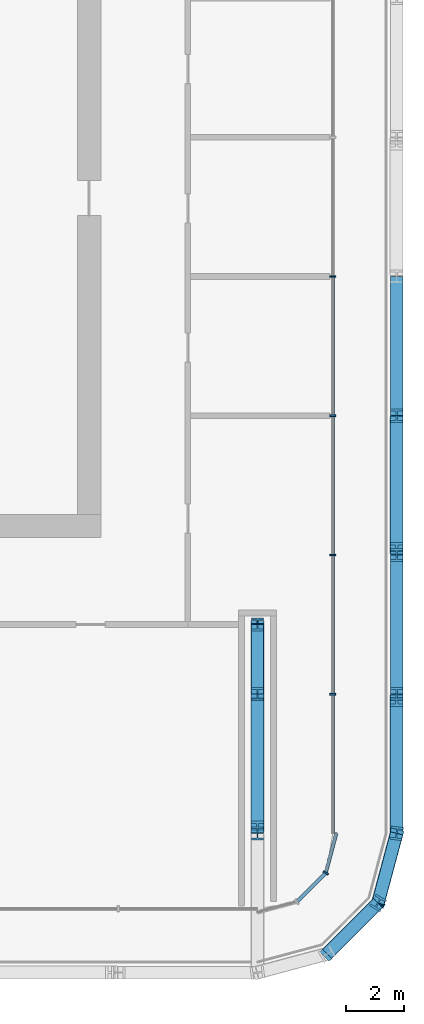
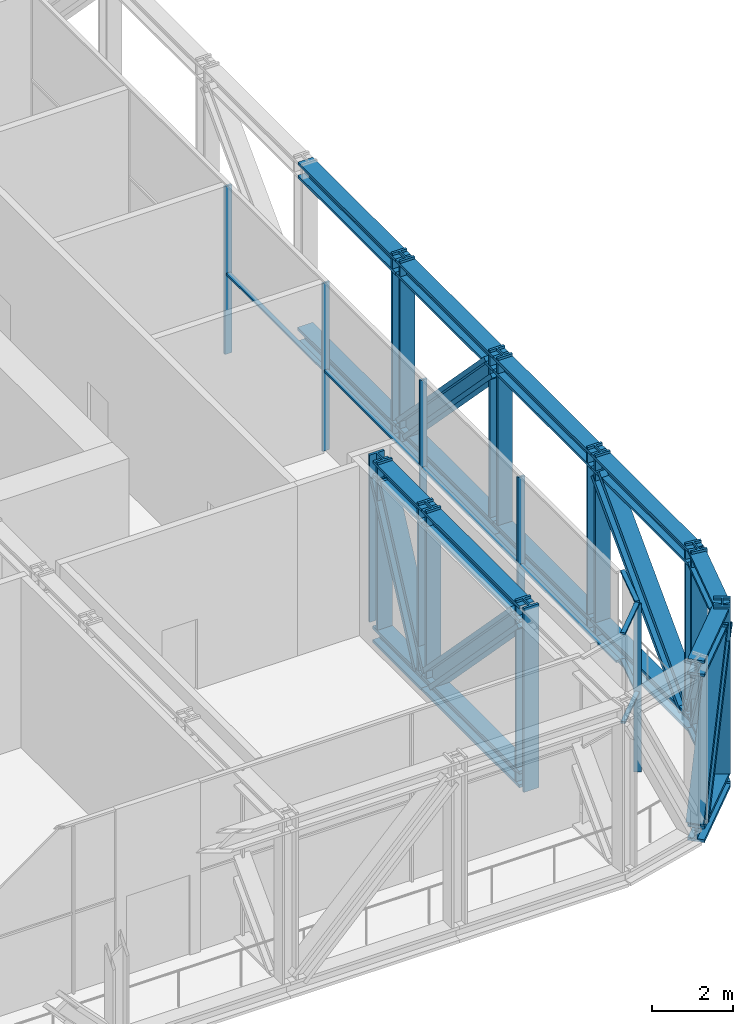
# One storey, part 6 of 27: 43 members, 2 elements without a shape of their own.
"""IFC4 building model written with IfcOpenShell, lengths in metres."""

from ifc_helpers import new_model, si_unit, direction, frame, origin, origin_2d, place, context, subcontext, project, spatial, rectangle, i_section, extrude, material, layer, layer_set, material_profile, profile_set, type_object, element, aggregate, save


model = new_model("IFC4")

# Units and contexts
model_context = context("Model", 3, precision=1e-05, world=origin(), true_north=direction((0.0, 1.0)))
body_context = subcontext(model_context, "Body", "Model", "MODEL_VIEW")
ifc_project = project(units=[si_unit("LENGTHUNIT", "METRE"), si_unit("AREAUNIT", "SQUARE_METRE"), si_unit("VOLUMEUNIT", "CUBIC_METRE"), si_unit("PLANEANGLEUNIT", "RADIAN"), si_unit("MASSUNIT", "GRAM", prefix="KILO")], contexts=[model_context])

# Site, building, storey
site_placement = place(None, origin())
site = spatial("IfcSite", under=ifc_project, at=site_placement, CompositionType="ELEMENT")
building_placement = place(site_placement, origin())
building = spatial("IfcBuilding", under=site, at=building_placement, Name="Madar Terraces", CompositionType="ELEMENT")
storey_placement = place(building_placement, frame((0.0, 0.0, 143.60009765625)))
storey = spatial("IfcBuildingStorey", under=building, at=storey_placement, Name="L37", CompositionType="ELEMENT", Elevation=143.60009765625)

# Members
ifc_material_1 = material(Name="Steel ASTM A913 Grade 65", Category="steel")
ifc_material_profile_1 = material_profile(ifc_material_1, i_section(OverallWidth=0.431884765625, OverallDepth=0.497802734375, WebThickness=0.0556640625, FlangeThickness=0.0888671875, at=origin_2d()), Name="W14x500")
ifc_profile_set_1 = profile_set([ifc_material_profile_1], Name="Steel ASTM A913 Grade 65")
member_type_1 = type_object("IfcMemberType", Name="BC5 W14x500", PredefinedType="CHORD", material=ifc_profile_set_1)
member_1_placement = place(storey_placement, frame((55.199951171875, 0.64306640625, -0.171142578125), z_axis=(0.707155907999, 0.70705765096, 0.0), x_axis=(-0.70705765096, 0.707155907999, 0.0)))
element("IfcMember", 1, at=member_1_placement, inside=storey, type_object=member_type_1, Name="Exoskeleton truss ring bottom chord BC5", PredefinedType="CHORD", context=body_context, shape_type="SweptSolid", body=[
    extrude(i_section(OverallWidth=0.431884765625, OverallDepth=0.497802734375, WebThickness=0.0556640625, FlangeThickness=0.0888671875, at=origin_2d()), origin(), (0.0, 0.0, 1.0), 2.484619140625),
])
member_2_placement = place(storey_placement, frame((56.95703125, 2.39990234375, -0.171142578125), z_axis=(0.258799930484, 0.965930947833, 0.0), x_axis=(-0.965930947833, 0.258799930484, 0.0)))
element("IfcMember", 2, at=member_2_placement, inside=storey, type_object=member_type_1, Name="Exoskeleton truss ring bottom chord BC5", PredefinedType="CHORD", context=body_context, shape_type="SweptSolid", body=[
    extrude(i_section(OverallWidth=0.431884765625, OverallDepth=0.497802734375, WebThickness=0.0556640625, FlangeThickness=0.0888671875, at=origin_2d()), origin(), (0.0, 0.0, 1.0), 2.48486328125),
])
member_3_placement = place(storey_placement, frame((57.60009765625, 4.800048828125, -0.171142578125), z_axis=(0.0, 1.0, 0.0), x_axis=(-1.0, 0.0, 0.0)))
element("IfcMember", 3, at=member_3_placement, inside=storey, type_object=member_type_1, Name="Exoskeleton truss ring bottom chord BC5", PredefinedType="CHORD", context=body_context, shape_type="SweptSolid", body=[
    extrude(i_section(OverallWidth=0.431884765625, OverallDepth=0.497802734375, WebThickness=0.0556640625, FlangeThickness=0.0888671875, at=origin_2d()), origin(), (0.0, 0.0, 1.0), 4.800048828125),
])
member_4_placement = place(storey_placement, frame((57.60009765625, 9.60009765625, -0.171142578125), z_axis=(0.0, 1.0, 0.0), x_axis=(-1.0, 0.0, 0.0)))
element("IfcMember", 4, at=member_4_placement, inside=storey, type_object=member_type_1, Name="Exoskeleton truss ring bottom chord BC5", PredefinedType="CHORD", context=body_context, shape_type="SweptSolid", body=[
    extrude(i_section(OverallWidth=0.431884765625, OverallDepth=0.497802734375, WebThickness=0.0556640625, FlangeThickness=0.0888671875, at=origin_2d()), origin(), (0.0, 0.0, 1.0), 4.7998046875),
])
for number, where, z_axis, x_axis, name in (
    (5, (57.60009765625, 14.39990234375, -0.171142578125), (0.0, 1.0, 0.0), (-1.0, 0.0, 0.0), "Exoskeleton truss ring bottom chord BC5"),
    (6, (57.60009765625, 19.199951171875, -0.171142578125), (0.0, 1.0, 0.0), (-1.0, 0.0, 0.0), "Exoskeleton truss ring bottom chord BC5"),
    (7, (52.800048828125, 4.800048828125, -0.171142578125), (0.0, 1.0, 0.0), (-1.0, 0.0, 0.0), "Exoskeleton truss cross S52.8 bottom chord BC5"),
):
    element("IfcMember", number, at=place(storey_placement, frame(where, z_axis=z_axis, x_axis=x_axis)), inside=storey, type_object=member_type_1, Name=name, PredefinedType="CHORD", context=body_context, shape_type="SweptSolid", body=[
        extrude(i_section(OverallWidth=0.431884765625, OverallDepth=0.497802734375, WebThickness=0.0556640625, FlangeThickness=0.0888671875, at=origin_2d()), origin(), (0.0, 0.0, 1.0), 4.800048828125),
    ])
member_5_placement = place(storey_placement, frame((52.800048828125, 9.60009765625, -0.171142578125), z_axis=(0.0, 1.0, 0.0), x_axis=(-1.0, 0.0, 0.0)))
element("IfcMember", 8, at=member_5_placement, inside=storey, type_object=member_type_1, Name="Exoskeleton truss cross S52.8 bottom chord BC5", PredefinedType="CHORD", context=body_context, shape_type="SweptSolid", body=[
    extrude(i_section(OverallWidth=0.431884765625, OverallDepth=0.497802734375, WebThickness=0.0556640625, FlangeThickness=0.0888671875, at=origin_2d()), origin(), (0.0, 0.0, 1.0), 2.39990234375),
])

# Curtain wall, members
ifc_material_2 = material(Name="Glass, ceramic frit dark grey, with black aluminium frame", Category="aluminium")
ifc_layer = layer(ifc_material_2, 0.199951171875)
ifc_layer_set = layer_set([ifc_layer], Name="Facade curtain wall, tall glazing")
curtain_wall_type = type_object("IfcCurtainWallType", Name="Facade curtain wall, tall glazing", PredefinedType="NOTDEFINED", material=ifc_layer_set)
curtain_wall_1_placement = place(storey_placement, origin())
curtain_wall_1 = element("IfcCurtainWall", 9, at=curtain_wall_1_placement, inside=storey, type_object=curtain_wall_type, Name="Outer skin curtain wall east bay 1", PredefinedType="NOTDEFINED")
ifc_material_3 = material(Name="Aluminium, black anodised", Category="aluminium")
ifc_material_profile_2 = material_profile(ifc_material_3, rectangle(XDim=0.199951171875, YDim=0.06005859375, at=origin_2d()), Name="Facade mullion 60x200")
ifc_profile_set_2 = profile_set([ifc_material_profile_2], Name="Aluminium, black anodised")
member_type_2 = type_object("IfcMemberType", Name="Facade mullion 60x200", PredefinedType="MULLION", material=ifc_profile_set_2)
member_6_placement = place(storey_placement, frame((55.39990234375, 9.60009765625, 0.0), z_axis=(0.0, 0.0, 1.0), x_axis=(-1.0, 0.0, 0.0)))
member_6 = element("IfcMember", 10, at=member_6_placement, type_object=member_type_2, Name="Mullion 1", PredefinedType="MULLION", context=body_context, shape_type="SweptSolid", body=[
    extrude(rectangle(XDim=0.199951171875, YDim=0.06005859375, at=origin_2d()), origin(), (0.0, 0.0, 1.0), 5.039794921875),
])
member_7_placement = place(storey_placement, frame((55.39990234375, 14.39990234375, 0.0), z_axis=(0.0, 0.0, 1.0), x_axis=(-1.0, 0.0, 0.0)))
member_7 = element("IfcMember", 11, at=member_7_placement, type_object=member_type_2, Name="Mullion 2", PredefinedType="MULLION", context=body_context, shape_type="SweptSolid", body=[
    extrude(rectangle(XDim=0.199951171875, YDim=0.06005859375, at=origin_2d()), origin(), (0.0, 0.0, 1.0), 5.039794921875),
])
member_8_placement = place(storey_placement, frame((55.39990234375, 19.199951171875, 0.0), z_axis=(0.0, 0.0, 1.0), x_axis=(-1.0, 0.0, 0.0)))
member_8 = element("IfcMember", 12, at=member_8_placement, type_object=member_type_2, Name="Mullion 3", PredefinedType="MULLION", context=body_context, shape_type="SweptSolid", body=[
    extrude(rectangle(XDim=0.199951171875, YDim=0.06005859375, at=origin_2d()), origin(), (0.0, 0.0, 1.0), 5.039794921875),
])
member_9_placement = place(storey_placement, frame((55.39990234375, 24.0, 0.0), z_axis=(0.0, 0.0, 1.0), x_axis=(-1.0, 0.0, 0.0)))
member_9 = element("IfcMember", 13, at=member_9_placement, type_object=member_type_2, Name="Mullion 4", PredefinedType="MULLION", context=body_context, shape_type="SweptSolid", body=[
    extrude(rectangle(XDim=0.199951171875, YDim=0.06005859375, at=origin_2d()), origin(), (0.0, 0.0, 1.0), 5.039794921875),
])

# Curtain wall, member
curtain_wall_2_placement = place(storey_placement, origin())
curtain_wall_2 = element("IfcCurtainWall", 14, at=curtain_wall_2_placement, inside=storey, type_object=curtain_wall_type, Name="Outer skin curtain wall south-east corner", PredefinedType="NOTDEFINED")
member_10_placement = place(storey_placement, frame((55.155517578125, 3.43994140625, 0.0), z_axis=(0.0, 0.0, 1.0), x_axis=(-0.866025386925, 0.500000029202, 0.0)))
member_10 = element("IfcMember", 15, at=member_10_placement, type_object=member_type_2, Name="Mullion 2", PredefinedType="MULLION", context=body_context, shape_type="SweptSolid", body=[
    extrude(rectangle(XDim=0.199951171875, YDim=0.06005859375, at=origin_2d()), origin(), (0.0, 0.0, 1.0), 5.039794921875),
])

# Member
ifc_material_4 = material(Name="Aluminium, black anodised", Category="aluminium")
ifc_material_profile_3 = material_profile(ifc_material_4, rectangle(XDim=0.1201171875, YDim=0.06005859375, at=origin_2d()), Name="Facade transom 60x120")
ifc_profile_set_3 = profile_set([ifc_material_profile_3], Name="Aluminium, black anodised")
member_type_3 = type_object("IfcMemberType", Name="Facade transom 60x120", PredefinedType="USERDEFINED", material=ifc_profile_set_3)
member_11_placement = place(storey_placement, frame((55.39990234375, 4.800048828125, 2.39990234375), z_axis=(0.0, 1.0, 0.0), x_axis=(-1.0, 0.0, 0.0)))
member_11 = element("IfcMember", 16, at=member_11_placement, type_object=member_type_3, Name="Transom 2", ObjectType="TRANSOM", PredefinedType="USERDEFINED", context=body_context, shape_type="SweptSolid", body=[
    extrude(rectangle(XDim=0.1201171875, YDim=0.06005859375, at=origin_2d()), origin(), (0.0, 0.0, 1.0), 4.77001953125),
])

member_12_placement = place(storey_placement, frame((55.39990234375, 9.6298828125, 2.39990234375), z_axis=(0.0, 1.0, 0.0), x_axis=(-1.0, 0.0, 0.0)))
member_12 = element("IfcMember", 17, at=member_12_placement, type_object=member_type_3, Name="Transom 3", ObjectType="TRANSOM", PredefinedType="USERDEFINED", context=body_context, shape_type="SweptSolid", body=[
    extrude(rectangle(XDim=0.1201171875, YDim=0.06005859375, at=origin_2d()), origin(), (0.0, 0.0, 1.0), 4.740234375),
])

member_13_placement = place(storey_placement, frame((55.39990234375, 14.429931640625, 2.39990234375), z_axis=(0.0, 1.0, 0.0), x_axis=(-1.0, 0.0, 0.0)))
member_13 = element("IfcMember", 18, at=member_13_placement, type_object=member_type_3, Name="Transom 4", ObjectType="TRANSOM", PredefinedType="USERDEFINED", context=body_context, shape_type="SweptSolid", body=[
    extrude(rectangle(XDim=0.1201171875, YDim=0.06005859375, at=origin_2d()), origin(), (0.0, 0.0, 1.0), 4.739990234375),
])

member_14_placement = place(storey_placement, frame((55.39990234375, 19.22998046875, 2.39990234375), z_axis=(0.0, 1.0, 0.0), x_axis=(-1.0, 0.0, 0.0)))
member_14 = element("IfcMember", 19, at=member_14_placement, type_object=member_type_3, Name="Transom 5", ObjectType="TRANSOM", PredefinedType="USERDEFINED", context=body_context, shape_type="SweptSolid", body=[
    extrude(rectangle(XDim=0.1201171875, YDim=0.06005859375, at=origin_2d()), origin(), (0.0, 0.0, 1.0), 4.739990234375),
])

aggregate(curtain_wall_1, [member_6, member_7, member_8, member_9, member_11, member_12, member_13, member_14])

member_15_placement = place(storey_placement, frame((54.18115234375, 2.465576171875, 5.06982421875), z_axis=(0.707106781187, 0.707106781187, 0.0), x_axis=(-0.707106781187, 0.707106781187, 0.0)))
member_15 = element("IfcMember", 20, at=member_15_placement, type_object=member_type_3, Name="Transom 3", ObjectType="TRANSOM", PredefinedType="USERDEFINED", context=body_context, shape_type="SweptSolid", body=[
    extrude(rectangle(XDim=0.1201171875, YDim=0.06005859375, at=origin_2d()), origin(), (0.0, 0.0, 1.0), 1.347900390625),
])

member_16_placement = place(storey_placement, frame((54.18115234375, 2.465576171875, 2.39990234375), z_axis=(0.707106781187, 0.707106781187, 0.0), x_axis=(-0.707106781187, 0.707106781187, 0.0)))
member_16 = element("IfcMember", 21, at=member_16_placement, type_object=member_type_3, Name="Transom 4", ObjectType="TRANSOM", PredefinedType="USERDEFINED", context=body_context, shape_type="SweptSolid", body=[
    extrude(rectangle(XDim=0.1201171875, YDim=0.06005859375, at=origin_2d()), origin(), (0.0, 0.0, 1.0), 1.347900390625),
])

member_17_placement = place(storey_placement, frame((55.163330078125, 3.468994140625, 5.06982421875), z_axis=(0.258842352791, 0.965919580711, 0.0), x_axis=(-0.965919580711, 0.258842352791, 0.0)))
member_17 = element("IfcMember", 22, at=member_17_placement, type_object=member_type_3, Name="Transom 5", ObjectType="TRANSOM", PredefinedType="USERDEFINED", context=body_context, shape_type="SweptSolid", body=[
    extrude(rectangle(XDim=0.1201171875, YDim=0.06005859375, at=origin_2d()), origin(), (0.0, 0.0, 1.0), 1.3779296875),
])

member_18_placement = place(storey_placement, frame((55.163330078125, 3.468994140625, 2.39990234375), z_axis=(0.258842352791, 0.965919580711, 0.0), x_axis=(-0.965919580711, 0.258842352791, 0.0)))
member_18 = element("IfcMember", 23, at=member_18_placement, type_object=member_type_3, Name="Transom 6", ObjectType="TRANSOM", PredefinedType="USERDEFINED", context=body_context, shape_type="SweptSolid", body=[
    extrude(rectangle(XDim=0.1201171875, YDim=0.06005859375, at=origin_2d()), origin(), (0.0, 0.0, 1.0), 1.3779296875),
])

aggregate(curtain_wall_2, [member_10, member_15, member_16, member_17, member_18])

# Members
ifc_material_5 = material(Name="Steel ASTM A913 Grade 65", Category="steel")
ifc_material_profile_4 = material_profile(ifc_material_5, i_section(OverallWidth=0.424072265625, OverallDepth=0.47509765625, WebThickness=0.0478515625, FlangeThickness=0.0771484375, at=origin_2d()), Name="W14x426")
ifc_profile_set_4 = profile_set([ifc_material_profile_4], Name="Steel ASTM A913 Grade 65")
member_type_4 = type_object("IfcMemberType", Name="TC5 W14x426", PredefinedType="CHORD", material=ifc_profile_set_4)
member_19_placement = place(storey_placement, frame((55.199951171875, 0.64306640625, 4.79248046875), z_axis=(0.707155907999, 0.70705765096, 0.0), x_axis=(-0.70705765096, 0.707155907999, 0.0)))
element("IfcMember", 24, at=member_19_placement, inside=storey, type_object=member_type_4, Name="Exoskeleton truss ring top chord TC5", PredefinedType="CHORD", context=body_context, shape_type="SweptSolid", body=[
    extrude(i_section(OverallWidth=0.424072265625, OverallDepth=0.47509765625, WebThickness=0.0478515625, FlangeThickness=0.0771484375, at=origin_2d()), origin(), (0.0, 0.0, 1.0), 2.484619140625),
])
member_20_placement = place(storey_placement, frame((56.95703125, 2.39990234375, 4.79248046875), z_axis=(0.258799930484, 0.965930947833, 0.0), x_axis=(-0.965930947833, 0.258799930484, 0.0)))
element("IfcMember", 25, at=member_20_placement, inside=storey, type_object=member_type_4, Name="Exoskeleton truss ring top chord TC5", PredefinedType="CHORD", context=body_context, shape_type="SweptSolid", body=[
    extrude(i_section(OverallWidth=0.424072265625, OverallDepth=0.47509765625, WebThickness=0.0478515625, FlangeThickness=0.0771484375, at=origin_2d()), origin(), (0.0, 0.0, 1.0), 2.48486328125),
])
member_21_placement = place(storey_placement, frame((57.60009765625, 4.800048828125, 4.79248046875), z_axis=(0.0, 1.0, 0.0), x_axis=(-1.0, 0.0, 0.0)))
element("IfcMember", 26, at=member_21_placement, inside=storey, type_object=member_type_4, Name="Exoskeleton truss ring top chord TC5", PredefinedType="CHORD", context=body_context, shape_type="SweptSolid", body=[
    extrude(i_section(OverallWidth=0.424072265625, OverallDepth=0.47509765625, WebThickness=0.0478515625, FlangeThickness=0.0771484375, at=origin_2d()), origin(), (0.0, 0.0, 1.0), 4.800048828125),
])
member_22_placement = place(storey_placement, frame((57.60009765625, 9.60009765625, 4.79248046875), z_axis=(0.0, 1.0, 0.0), x_axis=(-1.0, 0.0, 0.0)))
element("IfcMember", 27, at=member_22_placement, inside=storey, type_object=member_type_4, Name="Exoskeleton truss ring top chord TC5", PredefinedType="CHORD", context=body_context, shape_type="SweptSolid", body=[
    extrude(i_section(OverallWidth=0.424072265625, OverallDepth=0.47509765625, WebThickness=0.0478515625, FlangeThickness=0.0771484375, at=origin_2d()), origin(), (0.0, 0.0, 1.0), 4.7998046875),
])
for number, where, z_axis, x_axis, name in (
    (28, (57.60009765625, 14.39990234375, 4.79248046875), (0.0, 1.0, 0.0), (-1.0, 0.0, 0.0), "Exoskeleton truss ring top chord TC5"),
    (29, (57.60009765625, 19.199951171875, 4.79248046875), (0.0, 1.0, 0.0), (-1.0, 0.0, 0.0), "Exoskeleton truss ring top chord TC5"),
    (30, (52.800048828125, 4.800048828125, 4.79248046875), (0.0, 1.0, 0.0), (-1.0, 0.0, 0.0), "Exoskeleton truss cross S52.8 top chord TC5"),
):
    element("IfcMember", number, at=place(storey_placement, frame(where, z_axis=z_axis, x_axis=x_axis)), inside=storey, type_object=member_type_4, Name=name, PredefinedType="CHORD", context=body_context, shape_type="SweptSolid", body=[
        extrude(i_section(OverallWidth=0.424072265625, OverallDepth=0.47509765625, WebThickness=0.0478515625, FlangeThickness=0.0771484375, at=origin_2d()), origin(), (0.0, 0.0, 1.0), 4.800048828125),
    ])
member_23_placement = place(storey_placement, frame((52.800048828125, 9.60009765625, 4.79248046875), z_axis=(0.0, 1.0, 0.0), x_axis=(-1.0, 0.0, 0.0)))
element("IfcMember", 31, at=member_23_placement, inside=storey, type_object=member_type_4, Name="Exoskeleton truss cross S52.8 top chord TC5", PredefinedType="CHORD", context=body_context, shape_type="SweptSolid", body=[
    extrude(i_section(OverallWidth=0.424072265625, OverallDepth=0.47509765625, WebThickness=0.0478515625, FlangeThickness=0.0771484375, at=origin_2d()), origin(), (0.0, 0.0, 1.0), 2.39990234375),
])
ifc_material_6 = material(Name="Steel ASTM A913 Grade 65", Category="steel")
ifc_material_profile_5 = material_profile(ifc_material_6, i_section(OverallWidth=0.45458984375, OverallDepth=0.56884765625, WebThickness=0.077880859375, FlangeThickness=0.124755859375, at=origin_2d()), Name="W14x730")
ifc_profile_set_5 = profile_set([ifc_material_profile_5], Name="Steel ASTM A913 Grade 65")
member_type_5 = type_object("IfcMemberType", Name="TD5 W14x730", PredefinedType="BRACE", material=ifc_profile_set_5)
for number, where, z_axis, x_axis, name in (
    (32, (55.2880859375, 0.731201171875, 0.07763671875), (0.316507988918, 0.316507988918, 0.89422893372), (-0.707106781187, 0.707106781187, 0.0), "Exoskeleton truss ring diagonal TD5"),
    (33, (56.98779296875, 2.514892578125, 4.554931640625), (0.115855859859, 0.432362756468, -0.894225847622), (-0.965923252369, 0.258828650911, 0.0), "Exoskeleton truss ring diagonal TD5"),
):
    element("IfcMember", number, at=place(storey_placement, frame(where, z_axis=z_axis, x_axis=x_axis)), inside=storey, type_object=member_type_5, Name=name, PredefinedType="BRACE", context=body_context, shape_type="SweptSolid", body=[
        extrude(i_section(OverallWidth=0.45458984375, OverallDepth=0.56884765625, WebThickness=0.077880859375, FlangeThickness=0.124755859375, at=origin_2d()), origin(), (0.0, 0.0, 1.0), 5.0068359375),
    ])
for number, where, z_axis, x_axis, name in (
    (34, (57.60009765625, 5.040771484375, 0.07763671875), (0.0, 0.695149746219, 0.718864959733), (-1.0, 0.0, 0.0), "Exoskeleton truss ring diagonal TD5"),
    (35, (57.60009765625, 14.629638671875, 4.554931640625), (0.0, 0.695149746219, -0.718864959733), (-1.0, 0.0, 0.0), "Exoskeleton truss ring diagonal TD5"),
):
    element("IfcMember", number, at=place(storey_placement, frame(where, z_axis=z_axis, x_axis=x_axis)), inside=storey, type_object=member_type_5, Name=name, PredefinedType="BRACE", context=body_context, shape_type="SweptSolid", body=[
        extrude(i_section(OverallWidth=0.45458984375, OverallDepth=0.56884765625, WebThickness=0.077880859375, FlangeThickness=0.124755859375, at=origin_2d()), origin(), (0.0, 0.0, 1.0), 6.228271484375),
    ])
member_24_placement = place(storey_placement, frame((52.800048828125, 5.029541015625, 4.554931640625), z_axis=(0.0, 0.695170001979, -0.718845371654), x_axis=(-1.0, 0.0, 0.0)))
element("IfcMember", 36, at=member_24_placement, inside=storey, type_object=member_type_5, Name="Exoskeleton truss cross S52.8 diagonal TD5", PredefinedType="BRACE", context=body_context, shape_type="SweptSolid", body=[
    extrude(i_section(OverallWidth=0.45458984375, OverallDepth=0.56884765625, WebThickness=0.077880859375, FlangeThickness=0.124755859375, at=origin_2d()), origin(), (0.0, 0.0, 1.0), 6.228515625),
])
member_25_placement = place(storey_placement, frame((52.800048828125, 9.720458984375, 0.07763671875), z_axis=(0.0, 0.435294010342, 0.900288356339), x_axis=(-1.0, 0.0, 0.0)))
element("IfcMember", 37, at=member_25_placement, inside=storey, type_object=member_type_5, Name="Exoskeleton truss cross S52.8 diagonal TD5", PredefinedType="BRACE", context=body_context, shape_type="SweptSolid", body=[
    extrude(i_section(OverallWidth=0.45458984375, OverallDepth=0.56884765625, WebThickness=0.077880859375, FlangeThickness=0.124755859375, at=origin_2d()), origin(), (0.0, 0.0, 1.0), 4.97314453125),
])
ifc_material_7 = material(Name="Steel ASTM A913 Grade 65", Category="steel")
ifc_material_profile_6 = material_profile(ifc_material_7, i_section(OverallWidth=0.419189453125, OverallDepth=0.45458984375, WebThickness=0.042236328125, FlangeThickness=0.067626953125, at=origin_2d()), Name="W14x370")
ifc_profile_set_6 = profile_set([ifc_material_profile_6], Name="Steel ASTM A913 Grade 65")
member_type_6 = type_object("IfcMemberType", Name="TV5 W14x370", PredefinedType="POST", material=ifc_profile_set_6)
for number, where, z_axis, x_axis, name in (
    (38, (56.95703125, 2.39990234375, 0.07763671875), (0.0, 0.0, 1.0), (-0.866025412511, 0.499999984885, 0.0), "Exoskeleton truss ring post TV5"),
    (39, (57.60009765625, 4.800048828125, 0.07763671875), (0.0, 0.0, 1.0), (-0.991444863652, 0.130526174916, 0.0), "Exoskeleton truss ring post TV5"),
):
    element("IfcMember", number, at=place(storey_placement, frame(where, z_axis=z_axis, x_axis=x_axis)), inside=storey, type_object=member_type_6, Name=name, PredefinedType="POST", context=body_context, shape_type="SweptSolid", body=[
        extrude(i_section(OverallWidth=0.419189453125, OverallDepth=0.45458984375, WebThickness=0.042236328125, FlangeThickness=0.067626953125, at=origin_2d()), origin(), (0.0, 0.0, 1.0), 5.022216796875),
    ])
member_26_placement = place(storey_placement, frame((57.60009765625, 9.60009765625, -0.420166015625), z_axis=(0.0, 0.0, 1.0), x_axis=(-1.0, 0.0, 0.0)))
element("IfcMember", 40, at=member_26_placement, inside=storey, type_object=member_type_6, Name="Exoskeleton truss ring post TV5", PredefinedType="POST", context=body_context, shape_type="SweptSolid", body=[
    extrude(i_section(OverallWidth=0.419189453125, OverallDepth=0.45458984375, WebThickness=0.042236328125, FlangeThickness=0.067626953125, at=origin_2d()), origin(), (0.0, 0.0, 1.0), 5.52001953125),
])
member_27_placement = place(storey_placement, frame((57.60009765625, 14.39990234375, 0.07763671875), z_axis=(0.0, 0.0, 1.0), x_axis=(-1.0, 0.0, 0.0)))
element("IfcMember", 41, at=member_27_placement, inside=storey, type_object=member_type_6, Name="Exoskeleton truss ring post TV5", PredefinedType="POST", context=body_context, shape_type="SweptSolid", body=[
    extrude(i_section(OverallWidth=0.419189453125, OverallDepth=0.45458984375, WebThickness=0.042236328125, FlangeThickness=0.067626953125, at=origin_2d()), origin(), (0.0, 0.0, 1.0), 5.022216796875),
])
for number, where, z_axis, x_axis, name in (
    (42, (57.60009765625, 19.199951171875, -0.420166015625), (0.0, 0.0, 1.0), (-1.0, 0.0, 0.0), "Exoskeleton truss ring post TV5"),
    (43, (52.800048828125, 4.800048828125, -0.420166015625), (0.0, 0.0, 1.0), (-1.0, 0.0, 0.0), "Exoskeleton truss cross S52.8 post TV5"),
):
    element("IfcMember", number, at=place(storey_placement, frame(where, z_axis=z_axis, x_axis=x_axis)), inside=storey, type_object=member_type_6, Name=name, PredefinedType="POST", context=body_context, shape_type="SweptSolid", body=[
        extrude(i_section(OverallWidth=0.419189453125, OverallDepth=0.45458984375, WebThickness=0.042236328125, FlangeThickness=0.067626953125, at=origin_2d()), origin(), (0.0, 0.0, 1.0), 5.52001953125),
    ])
for number, where, z_axis, x_axis, name in (
    (44, (52.800048828125, 9.60009765625, 0.07763671875), (0.0, 0.0, 1.0), (-1.0, 0.0, 0.0), "Exoskeleton truss cross S52.8 post TV5"),
    (45, (52.800048828125, 12.0, 0.07763671875), (0.0, 0.0, 1.0), (-1.0, 0.0, 0.0), "Exoskeleton truss cross S52.8 post TV5"),
):
    element("IfcMember", number, at=place(storey_placement, frame(where, z_axis=z_axis, x_axis=x_axis)), inside=storey, type_object=member_type_6, Name=name, PredefinedType="POST", context=body_context, shape_type="SweptSolid", body=[
        extrude(i_section(OverallWidth=0.419189453125, OverallDepth=0.45458984375, WebThickness=0.042236328125, FlangeThickness=0.067626953125, at=origin_2d()), origin(), (0.0, 0.0, 1.0), 5.022216796875),
    ])

save(model, "model.ifc")
